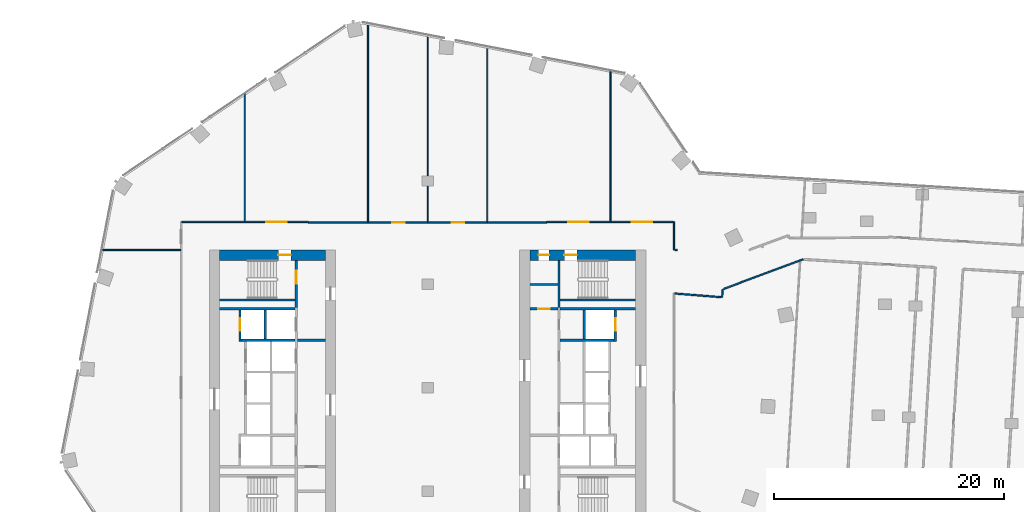
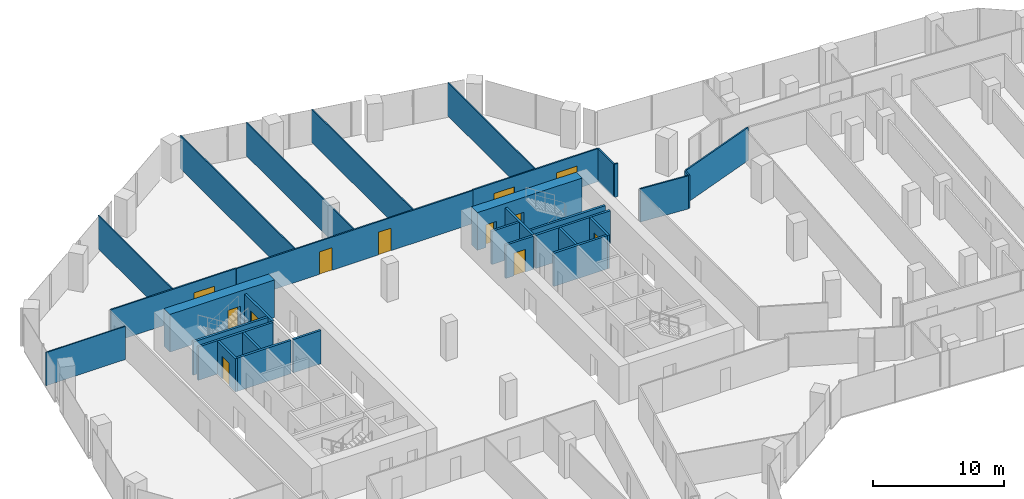
# One storey, part 26 of 32: 31 walls, 12 doors, 12 openings.
"""IFC4 building model written with IfcOpenShell, lengths in metres."""

from ifc_helpers import new_model, si_unit, direction, frame, frame_2d, origin, place, context, subcontext, project, spatial, rectangle, extrude, material, layer, layer_set, type_object, element, fill, save


model = new_model("IFC4")

# Units and contexts
model_context = context("Model", 3, precision=1e-05, world=origin(), true_north=direction((0.0, 1.0)))
body_context = subcontext(model_context, "Body", "Model", "MODEL_VIEW")
ifc_project = project(units=[si_unit("LENGTHUNIT", "METRE"), si_unit("AREAUNIT", "SQUARE_METRE"), si_unit("VOLUMEUNIT", "CUBIC_METRE"), si_unit("PLANEANGLEUNIT", "RADIAN"), si_unit("MASSUNIT", "GRAM", prefix="KILO")], contexts=[model_context])

# Site, building, storey
site_placement = place(None, origin())
site = spatial("IfcSite", under=ifc_project, at=site_placement, CompositionType="ELEMENT")
building_placement = place(site_placement, origin())
building = spatial("IfcBuilding", under=site, at=building_placement, Name="Orlundy Tower", CompositionType="ELEMENT")
storey_placement = place(building_placement, frame((0.0, 0.0, 149.10009765625)))
storey = spatial("IfcBuildingStorey", under=building, at=storey_placement, Name="L38", CompositionType="ELEMENT", Elevation=149.10009765625)

# Wall, opening, door
ifc_material_1 = material(Name="Concrete C70/85", Category="concrete")
ifc_layer_1 = layer(ifc_material_1, 0.89990234375)
ifc_layer_set_1 = layer_set([ifc_layer_1], Name="CORE WALL 900 C70/85")
wall_type_1 = type_object("IfcWallType", Name="CORE WALL 900 C70/85", PredefinedType="SHEAR", material=ifc_layer_set_1)
wall_1_placement = place(storey_placement, frame((-18.10009765625, 11.550048828125, 0.0), z_axis=(0.0, 0.0, 1.0), x_axis=(1.0, 0.0, 0.0)))
wall_1 = element("IfcWall", 1, at=wall_1_placement, inside=storey, type_object=wall_type_1, Name="Core wall W-N L38", PredefinedType="SHEAR", context=body_context, shape_type="SweptSolid", body=[
    extrude(rectangle(XDim=9.2001953125, YDim=0.89990234375, at=frame_2d((4.60009765625, 0.0))), origin(), (0.0, 0.0, 1.0), 3.5),
])
opening_1_placement = place(wall_1_placement, frame((5.10009765625, 0.0, 0.0)))
opening_1 = element("IfcOpeningElement", 2, at=opening_1_placement, cuts=wall_1, Name="Opening 29012", PredefinedType="OPENING", context=body_context, shape_type="SweptSolid", body=[
    extrude(rectangle(XDim=1.10009765625, YDim=2.10009765625, at=frame_2d((0.550048828125, 1.050048828125))), frame((0.0, 0.4599609375, 0.0), z_axis=(0.0, -1.0, 0.0), x_axis=(1.0, 0.0, 0.0)), (0.0, 0.0, 1.0), 0.919921875),
])
ifc_material_2 = material(Name="Steel door set", Category="steel")
door_type_1 = type_object("IfcDoorType", Name="Stair Door 1100x2100", OperationType="SINGLE_SWING_LEFT", PredefinedType="DOOR", material=ifc_material_2)
door_1_placement = place(opening_1_placement, origin())
door_1 = element("IfcDoor", 3, at=door_1_placement, inside=storey, type_object=door_type_1, Name="Stair door 29012", OperationType="SINGLE_SWING_RIGHT", OverallHeight=2.10009765625, OverallWidth=1.10009765625, PredefinedType="DOOR", context=body_context, shape_type="SweptSolid", body=[
    extrude(rectangle(XDim=1.10009765625, YDim=2.10009765625, at=frame_2d((0.550048828125, 1.050048828125))), frame((0.0, 0.02490234375, 0.0), z_axis=(0.0, -1.0, 0.0), x_axis=(1.0, 0.0, 0.0)), (0.0, 0.0, 1.0), 0.050048828125),
])
fill(opening_1, door_1)

# Wall, openings, doors
wall_2_placement = place(storey_placement, frame((8.89990234375, 11.550048828125, 0.0), z_axis=(0.0, 0.0, 1.0), x_axis=(1.0, 0.0, 0.0)))
wall_2 = element("IfcWall", 4, at=wall_2_placement, inside=storey, type_object=wall_type_1, Name="Core wall E-N L38", PredefinedType="SHEAR", context=body_context, shape_type="SweptSolid", body=[
    extrude(rectangle(XDim=9.2001953125, YDim=0.89990234375, at=frame_2d((4.60009765625, 0.0))), origin(), (0.0, 0.0, 1.0), 3.5),
])
opening_2_placement = place(wall_2_placement, frame((3.0, 0.0, 0.0)))
opening_2 = element("IfcOpeningElement", 5, at=opening_2_placement, cuts=wall_2, Name="Opening 29062", PredefinedType="OPENING", context=body_context, shape_type="SweptSolid", body=[
    extrude(rectangle(XDim=1.10009765625, YDim=2.10009765625, at=frame_2d((0.550048828125, 1.050048828125))), frame((0.0, 0.4599609375, 0.0), z_axis=(0.0, -1.0, 0.0), x_axis=(1.0, 0.0, 0.0)), (0.0, 0.0, 1.0), 0.919921875),
])
opening_3_placement = place(wall_2_placement, frame((0.77001953125, 0.0, 0.0)))
opening_3 = element("IfcOpeningElement", 6, at=opening_3_placement, cuts=wall_2, Name="Opening 29064", PredefinedType="OPENING", context=body_context, shape_type="SweptSolid", body=[
    extrude(rectangle(XDim=0.89990234375, YDim=2.10009765625, at=frame_2d((0.449951171875, 1.050048828125))), frame((0.0, 0.4599609375, 0.0), z_axis=(0.0, -1.0, 0.0), x_axis=(1.0, 0.0, 0.0)), (0.0, 0.0, 1.0), 0.919921875),
])
ifc_material_3 = material(Name="Timber door set", Category="wood")
door_type_2 = type_object("IfcDoorType", Name="Room Door 900x2100", OperationType="SINGLE_SWING_LEFT", PredefinedType="DOOR", material=ifc_material_3)
door_2_placement = place(opening_3_placement, origin())
door_2 = element("IfcDoor", 7, at=door_2_placement, inside=storey, type_object=door_type_2, Name="Store door 29064", OperationType="SINGLE_SWING_LEFT", OverallHeight=2.10009765625, OverallWidth=0.89990234375, PredefinedType="DOOR", context=body_context, shape_type="SweptSolid", body=[
    extrude(rectangle(XDim=0.89990234375, YDim=2.10009765625, at=frame_2d((0.449951171875, 1.050048828125))), frame((0.0, 0.02490234375, 0.0), z_axis=(0.0, -1.0, 0.0), x_axis=(1.0, 0.0, 0.0)), (0.0, 0.0, 1.0), 0.050048828125),
])
fill(opening_3, door_2)
door_3_placement = place(opening_2_placement, origin())
door_3 = element("IfcDoor", 8, at=door_3_placement, inside=storey, type_object=door_type_1, Name="Stair door 29062", OperationType="SINGLE_SWING_LEFT", OverallHeight=2.10009765625, OverallWidth=1.10009765625, PredefinedType="DOOR", context=body_context, shape_type="SweptSolid", body=[
    extrude(rectangle(XDim=1.10009765625, YDim=2.10009765625, at=frame_2d((0.550048828125, 1.050048828125))), frame((0.0, 0.02490234375, 0.0), z_axis=(0.0, -1.0, 0.0), x_axis=(1.0, 0.0, 0.0)), (0.0, 0.0, 1.0), 0.050048828125),
])
fill(opening_2, door_3)

# Walls
ifc_material_4 = material(Name="Gypsum board partition")
ifc_layer_2 = layer(ifc_material_4, 0.10009765625)
ifc_layer_set_2 = layer_set([ifc_layer_2], Name="Floor partition 100")
wall_type_2 = type_object("IfcWallType", Name="Floor partition 100", PredefinedType="PARTITIONING", material=ifc_layer_set_2)
wall_3_placement = place(storey_placement, frame((-28.48388671875, 12.0, 0.0), z_axis=(0.0, 0.0, 1.0), x_axis=(1.0, 0.0, 0.0)))
element("IfcWall", 9, at=wall_3_placement, inside=storey, type_object=wall_type_2, Name="wall-int-L38-052", PredefinedType="PARTITIONING", context=body_context, shape_type="SweptSolid", body=[
    extrude(rectangle(XDim=6.971923828125, YDim=0.10009765625, at=frame_2d((3.48583984375, 0.0))), origin(), (0.0, 0.0, 1.0), 3.079833984375),
])
wall_4_placement = place(storey_placement, frame((15.9208984375, 14.513916015625, 0.0), z_axis=(0.0, 0.0, 1.0), x_axis=(0.0, 1.0, 0.0)))
element("IfcWall", 10, at=wall_4_placement, inside=storey, type_object=wall_type_2, Name="wall-int-L38-105", PredefinedType="PARTITIONING", context=body_context, shape_type="SweptSolid", body=[
    extrude(rectangle(XDim=13.2080078125, YDim=0.10009765625, at=frame_2d((6.60400390625, 0.0))), origin(), (0.0, 0.0, 1.0), 3.079833984375),
])
wall_5_placement = place(storey_placement, frame((5.196044921875, 14.462890625, 0.0), z_axis=(0.0, 0.0, 1.0), x_axis=(0.0, 1.0, 0.0)))
element("IfcWall", 11, at=wall_5_placement, inside=storey, type_object=wall_type_2, Name="wall-int-L38-106", PredefinedType="PARTITIONING", context=body_context, shape_type="SweptSolid", body=[
    extrude(rectangle(XDim=15.343017578125, YDim=0.10009765625, at=frame_2d((7.67138671875, 0.0))), origin(), (0.0, 0.0, 1.0), 3.079833984375),
])
wall_6_placement = place(storey_placement, frame((0.0, 14.462890625, 0.0), z_axis=(0.0, 0.0, 1.0), x_axis=(0.0, 1.0, 0.0)))
element("IfcWall", 12, at=wall_6_placement, inside=storey, type_object=wall_type_2, Name="wall-int-L38-108", PredefinedType="PARTITIONING", context=body_context, shape_type="SweptSolid", body=[
    extrude(rectangle(XDim=16.35302734375, YDim=0.10009765625, at=frame_2d((8.176513671875, 0.0))), origin(), (0.0, 0.0, 1.0), 3.079833984375),
])
wall_7_placement = place(storey_placement, frame((-5.195068359375, 14.462890625, 0.0), z_axis=(0.0, 0.0, 1.0), x_axis=(0.0, 1.0, 0.0)))
element("IfcWall", 13, at=wall_7_placement, inside=storey, type_object=wall_type_2, Name="wall-int-L38-110", PredefinedType="PARTITIONING", context=body_context, shape_type="SweptSolid", body=[
    extrude(rectangle(XDim=17.363037109375, YDim=0.10009765625, at=frame_2d((8.681640625, 0.0))), origin(), (0.0, 0.0, 1.0), 3.079833984375),
])
wall_8_placement = place(storey_placement, frame((-15.919921875, 14.513916015625, 0.0), z_axis=(0.0, 0.0, 1.0), x_axis=(0.0, 1.0, 0.0)))
element("IfcWall", 14, at=wall_8_placement, inside=storey, type_object=wall_type_2, Name="wall-int-L38-111", PredefinedType="PARTITIONING", context=body_context, shape_type="SweptSolid", body=[
    extrude(rectangle(XDim=11.236083984375, YDim=0.10009765625, at=frame_2d((5.6181640625, 0.0))), origin(), (0.0, 0.0, 1.0), 3.079833984375),
])
ifc_material_5 = material(Name="Gypsum board partition, double layer")
ifc_layer_3 = layer(ifc_material_5, 0.125)
ifc_layer_set_3 = layer_set([ifc_layer_3], Name="Floor partition 125")
wall_type_3 = type_object("IfcWallType", Name="Floor partition 125", PredefinedType="PARTITIONING", material=ifc_layer_set_3)
wall_9_placement = place(storey_placement, frame((21.511962890625, 8.2060546875, 0.0), z_axis=(0.0, 0.0, 1.0), x_axis=(0.996912969239, -0.07851453218, 0.0)))
element("IfcWall", 15, at=wall_9_placement, inside=storey, type_object=wall_type_3, Name="wall-int-L38-028", PredefinedType="PARTITIONING", context=body_context, shape_type="SweptSolid", body=[
    extrude(rectangle(XDim=4.07666015625, YDim=0.125, at=frame_2d((2.038330078125, 0.0))), origin(), (0.0, 0.0, 1.0), 3.079833984375),
])
wall_10_placement = place(storey_placement, frame((21.449951171875, 12.02294921875, 0.0), z_axis=(0.0, 0.0, 1.0), x_axis=(0.996945992079, -0.078094102713, 0.0)))
element("IfcWall", 16, at=wall_10_placement, inside=storey, type_object=wall_type_3, Name="wall-int-L38-029", PredefinedType="PARTITIONING", context=body_context, shape_type="SweptSolid", body=[
    extrude(rectangle(XDim=0.2939453125, YDim=0.125, at=frame_2d((0.14697265625, 0.0))), origin(), (0.0, 0.0, 1.0), 3.079833984375),
])

# Wall, openings, doors
wall_11_placement = place(storey_placement, frame((-10.389892578125, 14.40087890625, 0.0), z_axis=(0.0, 0.0, 1.0), x_axis=(1.0, 0.0, 0.0)))
wall_11 = element("IfcWall", 17, at=wall_11_placement, inside=storey, type_object=wall_type_3, Name="wall-int-L38-054", PredefinedType="PARTITIONING", context=body_context, shape_type="SweptSolid", body=[
    extrude(rectangle(XDim=20.781005859375, YDim=0.125, at=frame_2d((10.390625, 0.0))), origin(), (0.0, 0.0, 1.0), 3.079833984375),
])
opening_4_placement = place(wall_11_placement, frame((12.489990234375, 0.0, 0.0)))
opening_4 = element("IfcOpeningElement", 18, at=opening_4_placement, cuts=wall_11, Name="Opening 29133", PredefinedType="OPENING", context=body_context, shape_type="SweptSolid", body=[
    extrude(rectangle(XDim=1.10009765625, YDim=2.10009765625, at=frame_2d((0.550048828125, 1.050048828125))), frame((0.0, 0.072509765625, 0.0), z_axis=(0.0, -1.0, 0.0), x_axis=(1.0, 0.0, 0.0)), (0.0, 0.0, 1.0), 0.14501953125),
])
opening_5_placement = place(wall_11_placement, frame((7.294921875, 0.0, 0.0)))
opening_5 = element("IfcOpeningElement", 19, at=opening_5_placement, cuts=wall_11, Name="Opening 29134", PredefinedType="OPENING", context=body_context, shape_type="SweptSolid", body=[
    extrude(rectangle(XDim=1.10009765625, YDim=2.10009765625, at=frame_2d((0.550048828125, 1.050048828125))), frame((0.0, 0.072509765625, 0.0), z_axis=(0.0, -1.0, 0.0), x_axis=(1.0, 0.0, 0.0)), (0.0, 0.0, 1.0), 0.14501953125),
])
ifc_material_6 = material(Name="Timber door leaf", Category="wood")
door_type_3 = type_object("IfcDoorType", Name="Floor door xwide 1100 FD30S", OperationType="NOTDEFINED", PredefinedType="DOOR", material=ifc_material_6)
door_4_placement = place(opening_4_placement, origin())
door_4 = element("IfcDoor", 20, at=door_4_placement, inside=storey, type_object=door_type_3, Name="Door 29133", OperationType="SINGLE_SWING_RIGHT", OverallHeight=2.10009765625, OverallWidth=1.10009765625, PredefinedType="DOOR", context=body_context, shape_type="SweptSolid", body=[
    extrude(rectangle(XDim=1.10009765625, YDim=2.10009765625, at=frame_2d((0.550048828125, 1.050048828125))), frame((0.0, 0.02490234375, 0.0), z_axis=(0.0, -1.0, 0.0), x_axis=(1.0, 0.0, 0.0)), (0.0, 0.0, 1.0), 0.050048828125),
])
fill(opening_4, door_4)
door_5_placement = place(opening_5_placement, origin())
door_5 = element("IfcDoor", 21, at=door_5_placement, inside=storey, type_object=door_type_3, Name="Door 29134", OperationType="SINGLE_SWING_LEFT", OverallHeight=2.10009765625, OverallWidth=1.10009765625, PredefinedType="DOOR", context=body_context, shape_type="SweptSolid", body=[
    extrude(rectangle(XDim=1.10009765625, YDim=2.10009765625, at=frame_2d((0.550048828125, 1.050048828125))), frame((0.0, 0.02490234375, 0.0), z_axis=(0.0, -1.0, 0.0), x_axis=(1.0, 0.0, 0.0)), (0.0, 0.0, 1.0), 0.050048828125),
])
fill(opening_5, door_5)

# Wall, opening, door
wall_12_placement = place(storey_placement, frame((-21.386962890625, 14.450927734375, 0.0), z_axis=(0.0, 0.0, 1.0), x_axis=(1.0, 0.0, 0.0)))
wall_12 = element("IfcWall", 22, at=wall_12_placement, inside=storey, type_object=wall_type_3, Name="wall-int-L38-055", PredefinedType="PARTITIONING", context=body_context, shape_type="SweptSolid", body=[
    extrude(rectangle(XDim=10.995849609375, YDim=0.125, at=frame_2d((5.498046875, 0.0))), origin(), (0.0, 0.0, 1.0), 3.079833984375),
])
opening_6_placement = place(wall_12_placement, frame((7.3173828125, 0.0, 0.0)))
opening_6 = element("IfcOpeningElement", 23, at=opening_6_placement, cuts=wall_12, Name="Opening 29135", PredefinedType="OPENING", context=body_context, shape_type="SweptSolid", body=[
    extrude(rectangle(XDim=1.800048828125, YDim=2.10009765625, at=frame_2d((0.89990234375, 1.050048828125))), frame((0.0, 0.072509765625, 0.0), z_axis=(0.0, -1.0, 0.0), x_axis=(1.0, 0.0, 0.0)), (0.0, 0.0, 1.0), 0.14501953125),
])
ifc_material_7 = material(Name="Timber door leaf", Category="wood")
door_type_4 = type_object("IfcDoorType", Name="Floor door double 1800 FD30S", OperationType="NOTDEFINED", PredefinedType="DOOR", material=ifc_material_7)
door_6_placement = place(opening_6_placement, origin())
door_6 = element("IfcDoor", 24, at=door_6_placement, inside=storey, type_object=door_type_4, Name="Door 29135", OperationType="DOUBLE_DOOR_SINGLE_SWING", OverallHeight=2.10009765625, OverallWidth=1.800048828125, PredefinedType="DOOR", context=body_context, shape_type="SweptSolid", body=[
    extrude(rectangle(XDim=1.800048828125, YDim=2.10009765625, at=frame_2d((0.89990234375, 1.050048828125))), frame((0.0, 0.02490234375, 0.0), z_axis=(0.0, -1.0, 0.0), x_axis=(1.0, 0.0, 0.0)), (0.0, 0.0, 1.0), 0.050048828125),
])
fill(opening_6, door_6)

# Wall, openings, doors
wall_13_placement = place(storey_placement, frame((10.39111328125, 14.450927734375, 0.0), z_axis=(0.0, 0.0, 1.0), x_axis=(1.0, 0.0, 0.0)))
wall_13 = element("IfcWall", 25, at=wall_13_placement, inside=storey, type_object=wall_type_3, Name="wall-int-L38-056", PredefinedType="PARTITIONING", context=body_context, shape_type="SweptSolid", body=[
    extrude(rectangle(XDim=10.995849609375, YDim=0.125, at=frame_2d((5.498046875, 0.0))), origin(), (0.0, 0.0, 1.0), 3.079833984375),
])
opening_7_placement = place(wall_13_placement, frame((7.3798828125, 0.0, 0.0)))
opening_7 = element("IfcOpeningElement", 26, at=opening_7_placement, cuts=wall_13, Name="Opening 29131", PredefinedType="OPENING", context=body_context, shape_type="SweptSolid", body=[
    extrude(rectangle(XDim=1.800048828125, YDim=2.10009765625, at=frame_2d((0.89990234375, 1.050048828125))), frame((0.0, 0.072509765625, 0.0), z_axis=(0.0, -1.0, 0.0), x_axis=(1.0, 0.0, 0.0)), (0.0, 0.0, 1.0), 0.14501953125),
])
opening_8_placement = place(wall_13_placement, frame((1.85009765625, 0.0, 0.0)))
opening_8 = element("IfcOpeningElement", 27, at=opening_8_placement, cuts=wall_13, Name="Opening 29132", PredefinedType="OPENING", context=body_context, shape_type="SweptSolid", body=[
    extrude(rectangle(XDim=1.800048828125, YDim=2.10009765625, at=frame_2d((0.89990234375, 1.050048828125))), frame((0.0, 0.072509765625, 0.0), z_axis=(0.0, -1.0, 0.0), x_axis=(1.0, 0.0, 0.0)), (0.0, 0.0, 1.0), 0.14501953125),
])
door_7_placement = place(opening_7_placement, origin())
door_7 = element("IfcDoor", 28, at=door_7_placement, inside=storey, type_object=door_type_4, Name="Door 29131", OperationType="DOUBLE_DOOR_SINGLE_SWING", OverallHeight=2.10009765625, OverallWidth=1.800048828125, PredefinedType="DOOR", context=body_context, shape_type="SweptSolid", body=[
    extrude(rectangle(XDim=1.800048828125, YDim=2.10009765625, at=frame_2d((0.89990234375, 1.050048828125))), frame((0.0, 0.02490234375, 0.0), z_axis=(0.0, -1.0, 0.0), x_axis=(1.0, 0.0, 0.0)), (0.0, 0.0, 1.0), 0.050048828125),
])
fill(opening_7, door_7)
door_8_placement = place(opening_8_placement, origin())
door_8 = element("IfcDoor", 29, at=door_8_placement, inside=storey, type_object=door_type_4, Name="Door 29132", OperationType="DOUBLE_DOOR_SINGLE_SWING", OverallHeight=2.10009765625, OverallWidth=1.800048828125, PredefinedType="DOOR", context=body_context, shape_type="SweptSolid", body=[
    extrude(rectangle(XDim=1.800048828125, YDim=2.10009765625, at=frame_2d((0.89990234375, 1.050048828125))), frame((0.0, 0.02490234375, 0.0), z_axis=(0.0, -1.0, 0.0), x_axis=(1.0, 0.0, 0.0)), (0.0, 0.0, 1.0), 0.050048828125),
])
fill(opening_8, door_8)

# Walls
wall_14_placement = place(storey_placement, frame((25.787109375, 8.613037109375, 0.0), z_axis=(0.0, 0.0, 1.0), x_axis=(0.937265679677, 0.348615899952, 0.0)))
element("IfcWall", 30, at=wall_14_placement, inside=storey, type_object=wall_type_3, Name="wall-int-L38-057", PredefinedType="PARTITIONING", context=body_context, shape_type="SweptSolid", body=[
    extrude(rectangle(XDim=7.365966796875, YDim=0.125, at=frame_2d((3.68310546875, 0.0))), origin(), (0.0, 0.0, 1.0), 3.079833984375),
])
wall_15_placement = place(storey_placement, frame((25.639892578125, 7.881103515625, 0.0), z_axis=(0.0, 0.0, 1.0), x_axis=(0.078802794934, 0.996890224403, 0.0)))
element("IfcWall", 31, at=wall_15_placement, inside=storey, type_object=wall_type_3, Name="wall-int-L38-085", PredefinedType="PARTITIONING", context=body_context, shape_type="SweptSolid", body=[
    extrude(rectangle(XDim=0.7001953125, YDim=0.125, at=frame_2d((0.35009765625, 0.0))), origin(), (0.0, 0.0, 1.0), 3.079833984375),
])
wall_16_placement = place(storey_placement, frame((21.449951171875, 12.02294921875, 0.0), z_axis=(0.0, 0.0, 1.0), x_axis=(0.0, 1.0, 0.0)))
element("IfcWall", 32, at=wall_16_placement, inside=storey, type_object=wall_type_3, Name="wall-int-L38-104", PredefinedType="PARTITIONING", context=body_context, shape_type="SweptSolid", body=[
    extrude(rectangle(XDim=2.427978515625, YDim=0.125, at=frame_2d((1.2138671875, 0.0))), origin(), (0.0, 0.0, 1.0), 3.079833984375),
])

# Wall, opening, door
ifc_material_8 = material(Name="Concrete C40/50", Category="concrete")
ifc_layer_4 = layer(ifc_material_8, 0.199951171875)
ifc_layer_set_4 = layer_set([ifc_layer_4], Name="Load-bearing Shaft Wall 200")
wall_type_4 = type_object("IfcWallType", Name="Load-bearing Shaft Wall 200", PredefinedType="SOLIDWALL", material=ifc_layer_set_4)
wall_17_placement = place(storey_placement, frame((-11.43994140625, 6.97509765625, 0.0), z_axis=(0.0, 0.0, 1.0), x_axis=(0.0, 1.0, 0.0)))
wall_17 = element("IfcWall", 33, at=wall_17_placement, inside=storey, type_object=wall_type_4, Name="Shaft wall W29-stair-end-n", PredefinedType="SOLIDWALL", context=body_context, shape_type="SweptSolid", body=[
    extrude(rectangle(XDim=4.125, YDim=0.199951171875, at=frame_2d((2.0625, 0.0))), origin(), (0.0, 0.0, 1.0), 3.08984375),
])
opening_9_placement = place(wall_17_placement, frame((2.10009765625, 0.0, 0.0)))
opening_9 = element("IfcOpeningElement", 34, at=opening_9_placement, cuts=wall_17, Name="Opening 29014", PredefinedType="OPENING", context=body_context, shape_type="SweptSolid", body=[
    extrude(rectangle(XDim=1.10009765625, YDim=2.10009765625, at=frame_2d((0.550048828125, 1.050048828125))), frame((0.0, 0.110107421875, 0.0), z_axis=(0.0, -1.0, 0.0), x_axis=(1.0, 0.0, 0.0)), (0.0, 0.0, 1.0), 0.22021484375),
])
ifc_material_9 = material(Name="Steel door set", Category="steel")
door_type_5 = type_object("IfcDoorType", Name="Fire-fighting Lobby Door 1100x2100", OperationType="SINGLE_SWING_LEFT", PredefinedType="DOOR", material=ifc_material_9)
door_9_placement = place(opening_9_placement, origin())
door_9 = element("IfcDoor", 35, at=door_9_placement, inside=storey, type_object=door_type_5, Name="Fire-fighting lobby to stair door 29014", OperationType="SINGLE_SWING_RIGHT", OverallHeight=2.10009765625, OverallWidth=1.10009765625, PredefinedType="DOOR", context=body_context, shape_type="SweptSolid", body=[
    extrude(rectangle(XDim=1.10009765625, YDim=2.10009765625, at=frame_2d((0.550048828125, 1.050048828125))), frame((0.0, 0.02490234375, 0.0), z_axis=(0.0, -1.0, 0.0), x_axis=(1.0, 0.0, 0.0)), (0.0, 0.0, 1.0), 0.050048828125),
])
fill(opening_9, door_9)

# Walls
wall_18_placement = place(storey_placement, frame((-11.5400390625, 7.64990234375, 0.0), z_axis=(0.0, 0.0, 1.0), x_axis=(-1.0, 0.0, 0.0)))
element("IfcWall", 36, at=wall_18_placement, inside=storey, type_object=wall_type_4, Name="Shaft wall W29-stair-side-n", PredefinedType="SOLIDWALL", context=body_context, shape_type="SweptSolid", body=[
    extrude(rectangle(XDim=6.56005859375, YDim=0.199951171875, at=frame_2d((3.280029296875, 0.0))), origin(), (0.0, 0.0, 1.0), 3.08984375),
])
wall_19_placement = place(storey_placement, frame((11.43994140625, 11.10009765625, 0.0), z_axis=(0.0, 0.0, 1.0), x_axis=(0.0, -1.0, 0.0)))
element("IfcWall", 37, at=wall_19_placement, inside=storey, type_object=wall_type_4, Name="Shaft wall E29-stair-end-s", PredefinedType="SOLIDWALL", context=body_context, shape_type="SweptSolid", body=[
    extrude(rectangle(XDim=4.125, YDim=0.199951171875, at=frame_2d((2.0625, 0.0))), origin(), (0.0, 0.0, 1.0), 3.08984375),
])
wall_20_placement = place(storey_placement, frame((11.5400390625, 7.64990234375, 0.0), z_axis=(0.0, 0.0, 1.0), x_axis=(1.0, 0.0, 0.0)))
element("IfcWall", 38, at=wall_20_placement, inside=storey, type_object=wall_type_4, Name="Shaft wall E29-stair-side-s", PredefinedType="SOLIDWALL", context=body_context, shape_type="SweptSolid", body=[
    extrude(rectangle(XDim=6.56005859375, YDim=0.199951171875, at=frame_2d((3.280029296875, 0.0))), origin(), (0.0, 0.0, 1.0), 3.08984375),
])
ifc_material_10 = material(Name="Gypsum board partition on steel studs", Category="steel")
ifc_layer_5 = layer(ifc_material_10, 0.199951171875)
ifc_layer_set_5 = layer_set([ifc_layer_5], Name="Partition 200")
wall_type_5 = type_object("IfcWallType", Name="Partition 200", PredefinedType="PARTITIONING", material=ifc_layer_set_5)
wall_21_placement = place(storey_placement, frame((-8.89990234375, 4.125, 0.0), z_axis=(0.0, 0.0, 1.0), x_axis=(-1.0, 0.0, 0.0)))
element("IfcWall", 39, at=wall_21_placement, inside=storey, type_object=wall_type_5, Name="Partition wall W29-lobby-n", PredefinedType="PARTITIONING", context=body_context, shape_type="SweptSolid", body=[
    extrude(rectangle(XDim=2.440185546875, YDim=0.199951171875, at=frame_2d((1.22021484375, 0.0))), origin(), (0.0, 0.0, 1.0), 3.08984375),
])

# Wall, opening, door
wall_22_placement = place(storey_placement, frame((8.89990234375, 6.875, 0.0), z_axis=(0.0, 0.0, 1.0), x_axis=(1.0, 0.0, 0.0)))
wall_22 = element("IfcWall", 40, at=wall_22_placement, inside=storey, type_object=wall_type_5, Name="Partition wall E29-end-s", PredefinedType="PARTITIONING", context=body_context, shape_type="SweptSolid", body=[
    extrude(rectangle(XDim=2.440185546875, YDim=0.199951171875, at=frame_2d((1.22021484375, 0.0))), origin(), (0.0, 0.0, 1.0), 3.08984375),
])
opening_10_placement = place(wall_22_placement, frame((0.719970703125, 0.0, 0.0)))
opening_10 = element("IfcOpeningElement", 41, at=opening_10_placement, cuts=wall_22, Name="Opening 29065", PredefinedType="OPENING", context=body_context, shape_type="SweptSolid", body=[
    extrude(rectangle(XDim=1.0, YDim=2.10009765625, at=frame_2d((0.5, 1.050048828125))), frame((0.0, 0.110107421875, 0.0), z_axis=(0.0, -1.0, 0.0), x_axis=(1.0, 0.0, 0.0)), (0.0, 0.0, 1.0), 0.22021484375),
])
ifc_material_11 = material(Name="Timber door set", Category="wood")
door_type_6 = type_object("IfcDoorType", Name="Accessible Door 1000x2100", OperationType="SINGLE_SWING_LEFT", PredefinedType="DOOR", material=ifc_material_11)
door_10_placement = place(opening_10_placement, origin())
door_10 = element("IfcDoor", 42, at=door_10_placement, inside=storey, type_object=door_type_6, Name="Accessible WC door 29065", OperationType="SINGLE_SWING_RIGHT", OverallHeight=2.10009765625, OverallWidth=1.0, PredefinedType="DOOR", context=body_context, shape_type="SweptSolid", body=[
    extrude(rectangle(XDim=1.0, YDim=2.10009765625, at=frame_2d((0.5, 1.050048828125))), frame((0.0, 0.02490234375, 0.0), z_axis=(0.0, -1.0, 0.0), x_axis=(1.0, 0.0, 0.0)), (0.0, 0.0, 1.0), 0.050048828125),
])
fill(opening_10, door_10)

# Walls
wall_23_placement = place(storey_placement, frame((8.89990234375, 9.0, 0.0), z_axis=(0.0, 0.0, 1.0), x_axis=(1.0, 0.0, 0.0)))
element("IfcWall", 43, at=wall_23_placement, inside=storey, type_object=wall_type_5, Name="Partition wall E29-room-s0", PredefinedType="PARTITIONING", context=body_context, shape_type="SweptSolid", body=[
    extrude(rectangle(XDim=2.440185546875, YDim=0.199951171875, at=frame_2d((1.22021484375, 0.0))), origin(), (0.0, 0.0, 1.0), 3.08984375),
])
ifc_material_12 = material(Name="Fire-rated blockwork shaft wall", Category="masonry")
ifc_layer_6 = layer(ifc_material_12, 0.199951171875)
ifc_layer_set_6 = layer_set([ifc_layer_6], Name="Shaft Wall 200")
wall_type_6 = type_object("IfcWallType", Name="Shaft Wall 200", PredefinedType="SOLIDWALL", material=ifc_layer_set_6)
wall_24_placement = place(storey_placement, frame((-11.5400390625, 6.875, 0.0), z_axis=(0.0, 0.0, 1.0), x_axis=(-1.0, 0.0, 0.0)))
element("IfcWall", 44, at=wall_24_placement, inside=storey, type_object=wall_type_6, Name="Shaft wall W29-zone-n", PredefinedType="SOLIDWALL", context=body_context, shape_type="SweptSolid", body=[
    extrude(rectangle(XDim=6.56005859375, YDim=0.199951171875, at=frame_2d((3.280029296875, 0.0))), origin(), (0.0, 0.0, 1.0), 3.08984375),
])
wall_25_placement = place(storey_placement, frame((-11.5400390625, 4.125, 0.0), z_axis=(0.0, 0.0, 1.0), x_axis=(-1.0, 0.0, 0.0)))
element("IfcWall", 45, at=wall_25_placement, inside=storey, type_object=wall_type_6, Name="Shaft wall W29-cross+4.125", PredefinedType="SOLIDWALL", context=body_context, shape_type="SweptSolid", body=[
    extrude(rectangle(XDim=4.699951171875, YDim=0.199951171875, at=frame_2d((2.35009765625, 0.0))), origin(), (0.0, 0.0, 1.0), 3.08984375),
])
wall_26_placement = place(storey_placement, frame((-14.139892578125, 4.22509765625, 0.0), z_axis=(0.0, 0.0, 1.0), x_axis=(0.0, 1.0, 0.0)))
element("IfcWall", 46, at=wall_26_placement, inside=storey, type_object=wall_type_6, Name="Shaft wall W29-mid-b", PredefinedType="SOLIDWALL", context=body_context, shape_type="SweptSolid", body=[
    extrude(rectangle(XDim=2.5498046875, YDim=0.199951171875, at=frame_2d((1.27490234375, 0.0))), origin(), (0.0, 0.0, 1.0), 3.08984375),
])

# Wall, opening, door
wall_27_placement = place(storey_placement, frame((-16.340087890625, 4.02490234375, 0.0), z_axis=(0.0, 0.0, 1.0), x_axis=(0.0, 1.0, 0.0)))
wall_27 = element("IfcWall", 47, at=wall_27_placement, inside=storey, type_object=wall_type_6, Name="Shaft wall W29-front-o-c", PredefinedType="SOLIDWALL", context=body_context, shape_type="SweptSolid", body=[
    extrude(rectangle(XDim=2.75, YDim=0.199951171875, at=frame_2d((1.375, 0.0))), origin(), (0.0, 0.0, 1.0), 3.08984375),
])
opening_11_placement = place(wall_27_placement, frame((0.925048828125, 0.0, 0.0)))
opening_11 = element("IfcOpeningElement", 48, at=opening_11_placement, cuts=wall_27, Name="Opening 29006", PredefinedType="OPENING", context=body_context, shape_type="SweptSolid", body=[
    extrude(rectangle(XDim=1.10009765625, YDim=2.10009765625, at=frame_2d((0.550048828125, 1.050048828125))), frame((0.0, 0.110107421875, 0.0), z_axis=(0.0, -1.0, 0.0), x_axis=(1.0, 0.0, 0.0)), (0.0, 0.0, 1.0), 0.22021484375),
])
ifc_material_13 = material(Name="Steel door set", Category="steel")
door_type_7 = type_object("IfcDoorType", Name="Landing Door 1100x2100", OperationType="DOUBLE_DOOR_SLIDING", PredefinedType="DOOR", material=ifc_material_13)
door_11_placement = place(opening_11_placement, origin())
door_11 = element("IfcDoor", 49, at=door_11_placement, inside=storey, type_object=door_type_7, Name="Lift landing door LP-14 29006", OperationType="DOUBLE_DOOR_SLIDING", OverallHeight=2.10009765625, OverallWidth=1.10009765625, PredefinedType="DOOR", context=body_context, shape_type="SweptSolid", body=[
    extrude(rectangle(XDim=1.10009765625, YDim=2.10009765625, at=frame_2d((0.550048828125, 1.050048828125))), frame((0.0, 0.02490234375, 0.0), z_axis=(0.0, -1.0, 0.0), x_axis=(1.0, 0.0, 0.0)), (0.0, 0.0, 1.0), 0.050048828125),
])
fill(opening_11, door_11)

# Walls
wall_28_placement = place(storey_placement, frame((11.5400390625, 6.875, 0.0), z_axis=(0.0, 0.0, 1.0), x_axis=(1.0, 0.0, 0.0)))
element("IfcWall", 50, at=wall_28_placement, inside=storey, type_object=wall_type_6, Name="Shaft wall E29-zone-s", PredefinedType="SOLIDWALL", context=body_context, shape_type="SweptSolid", body=[
    extrude(rectangle(XDim=6.56005859375, YDim=0.199951171875, at=frame_2d((3.280029296875, 0.0))), origin(), (0.0, 0.0, 1.0), 3.08984375),
])
wall_29_placement = place(storey_placement, frame((11.5400390625, 4.125, 0.0), z_axis=(0.0, 0.0, 1.0), x_axis=(1.0, 0.0, 0.0)))
element("IfcWall", 51, at=wall_29_placement, inside=storey, type_object=wall_type_6, Name="Shaft wall E29-cross-4.125", PredefinedType="SOLIDWALL", context=body_context, shape_type="SweptSolid", body=[
    extrude(rectangle(XDim=4.699951171875, YDim=0.199951171875, at=frame_2d((2.35009765625, 0.0))), origin(), (0.0, 0.0, 1.0), 3.08984375),
])
wall_30_placement = place(storey_placement, frame((13.639892578125, 6.77490234375, 0.0), z_axis=(0.0, 0.0, 1.0), x_axis=(0.0, -1.0, 0.0)))
element("IfcWall", 52, at=wall_30_placement, inside=storey, type_object=wall_type_6, Name="Shaft wall E29-mid-a", PredefinedType="SOLIDWALL", context=body_context, shape_type="SweptSolid", body=[
    extrude(rectangle(XDim=2.5498046875, YDim=0.199951171875, at=frame_2d((1.27490234375, 0.0))), origin(), (0.0, 0.0, 1.0), 3.08984375),
])

# Wall, opening, door
wall_31_placement = place(storey_placement, frame((16.340087890625, 6.77490234375, 0.0), z_axis=(0.0, 0.0, 1.0), x_axis=(0.0, -1.0, 0.0)))
wall_31 = element("IfcWall", 53, at=wall_31_placement, inside=storey, type_object=wall_type_6, Name="Shaft wall E29-front-o-a", PredefinedType="SOLIDWALL", context=body_context, shape_type="SweptSolid", body=[
    extrude(rectangle(XDim=2.75, YDim=0.199951171875, at=frame_2d((1.375, 0.0))), origin(), (0.0, 0.0, 1.0), 3.08984375),
])
opening_12_placement = place(wall_31_placement, frame((0.72509765625, 0.0, 0.0)))
opening_12 = element("IfcOpeningElement", 54, at=opening_12_placement, cuts=wall_31, Name="Opening 29050", PredefinedType="OPENING", context=body_context, shape_type="SweptSolid", body=[
    extrude(rectangle(XDim=1.10009765625, YDim=2.10009765625, at=frame_2d((0.550048828125, 1.050048828125))), frame((0.0, 0.110107421875, 0.0), z_axis=(0.0, -1.0, 0.0), x_axis=(1.0, 0.0, 0.0)), (0.0, 0.0, 1.0), 0.22021484375),
])
door_12_placement = place(opening_12_placement, origin())
door_12 = element("IfcDoor", 55, at=door_12_placement, inside=storey, type_object=door_type_7, Name="Lift landing door LV-02 29050", OperationType="DOUBLE_DOOR_SLIDING", OverallHeight=2.10009765625, OverallWidth=1.10009765625, PredefinedType="DOOR", context=body_context, shape_type="SweptSolid", body=[
    extrude(rectangle(XDim=1.10009765625, YDim=2.10009765625, at=frame_2d((0.550048828125, 1.050048828125))), frame((0.0, 0.02490234375, 0.0), z_axis=(0.0, -1.0, 0.0), x_axis=(1.0, 0.0, 0.0)), (0.0, 0.0, 1.0), 0.050048828125),
])
fill(opening_12, door_12)

save(model, "model.ifc")
